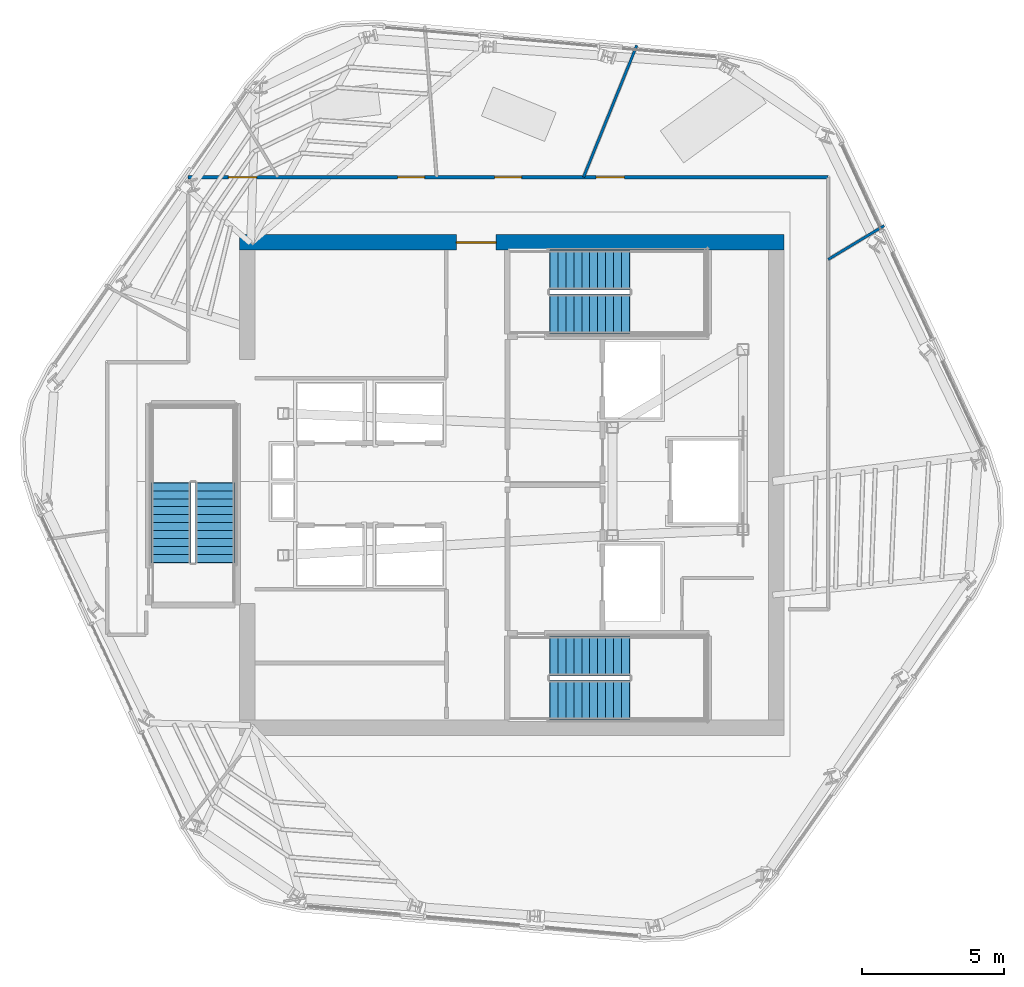
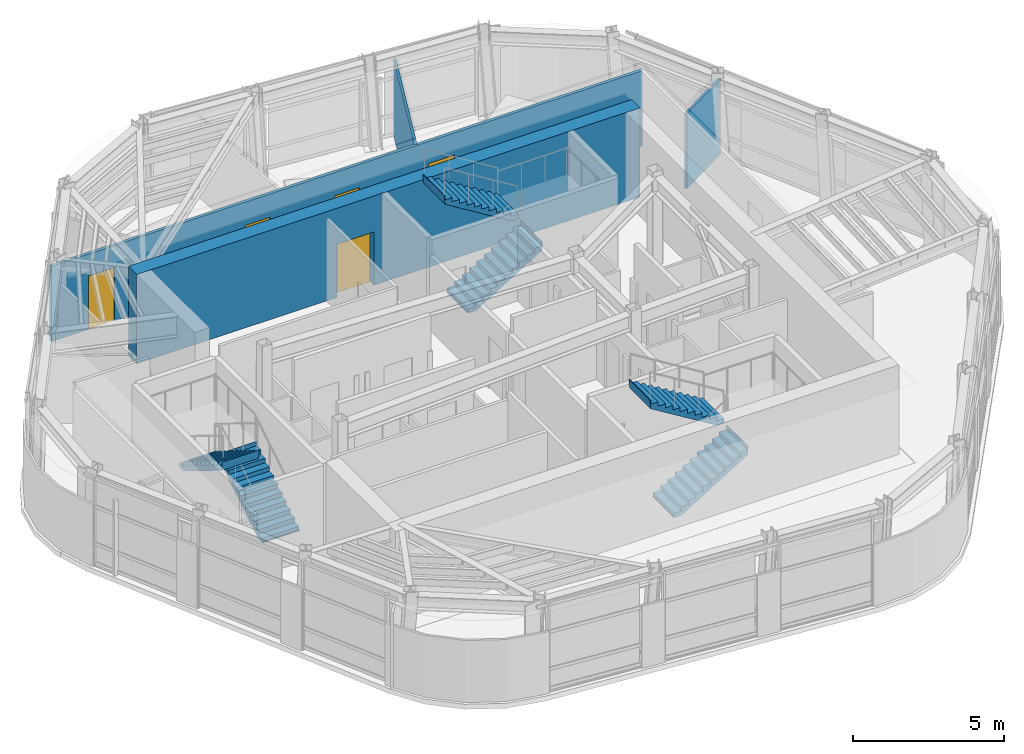
# One storey, part 7 of 12: 6 stair flights, 5 doors, 4 walls, 5 openings, 3 elements without a shape of their own.
"""IFC4 building model written with IfcOpenShell, lengths in metres."""

from ifc_helpers import new_model, si_unit, direction, frame, frame_2d, origin, place, context, subcontext, project, spatial, polyline, rectangle, outline, extrude, material, layer, layer_set, type_object, element, fill, aggregate, save


model = new_model("IFC4")

# Units and contexts
model_context = context("Model", 3, precision=1e-05, world=origin(), true_north=direction((0.0, 1.0)))
body_context = subcontext(model_context, "Body", "Model", "MODEL_VIEW")
ifc_project = project(units=[si_unit("LENGTHUNIT", "METRE"), si_unit("AREAUNIT", "SQUARE_METRE"), si_unit("VOLUMEUNIT", "CUBIC_METRE"), si_unit("PLANEANGLEUNIT", "RADIAN"), si_unit("MASSUNIT", "GRAM", prefix="KILO")], contexts=[model_context])

# Site, building, storey
site_placement = place(None, origin())
site = spatial("IfcSite", under=ifc_project, at=site_placement, CompositionType="ELEMENT")
building_placement = place(site_placement, origin())
building = spatial("IfcBuilding", under=site, at=building_placement, Name="Valkerne Bourse Tower", CompositionType="ELEMENT")
storey_placement = place(building_placement, frame((0.0, 0.0, 262.199951171875)))
storey = spatial("IfcBuildingStorey", under=building, at=storey_placement, Name="L66", CompositionType="ELEMENT", Elevation=262.199951171875)

# Wall, opening, door
ifc_material_1 = material(Name="Concrete C55/67", Category="concrete")
ifc_layer_1 = layer(ifc_material_1, 0.550048828125)
ifc_layer_set_1 = layer_set([ifc_layer_1], Name="Concrete C55/67")
wall_type_1 = type_object("IfcWallType", Name="W-CORE-550", PredefinedType="SHEAR", material=ifc_layer_set_1)
wall_1_placement = place(storey_placement, frame((37.199951171875, 35.425048828125, 0.0), z_axis=(0.0, 0.0, 1.0), x_axis=(1.0, 0.0, 0.0)))
wall_1 = element("IfcWall", 1, at=wall_1_placement, inside=storey, type_object=wall_type_1, Name="L66 Core Shear Wall NORTH", PredefinedType="SHEAR", context=body_context, shape_type="SweptSolid", body=[
    extrude(rectangle(XDim=19.199951171875, YDim=0.550048828125, at=frame_2d((9.60009765625, 0.0))), origin(), (0.0, 0.0, 1.0), 3.60009765625),
])
opening_1_placement = place(wall_1_placement, frame((7.64990234375, 0.0, 0.0)))
opening_1 = element("IfcOpeningElement", 2, at=opening_1_placement, cuts=wall_1, Name="Opening D-PL-1400", PredefinedType="OPENING", context=body_context, shape_type="SweptSolid", body=[
    extrude(rectangle(XDim=1.39990234375, YDim=2.14990234375, at=frame_2d((0.699951171875, 1.074951171875))), frame((0.0, 0.284912109375, 0.0), z_axis=(0.0, -1.0, 0.0), x_axis=(1.0, 0.0, 0.0)), (0.0, 0.0, 1.0), 0.570068359375),
])
ifc_material_2 = material(Name="Galvanised Painted Steel", Category="steel")
door_type_1 = type_object("IfcDoorType", Name="DR-PLT-1400", OperationType="DOUBLE_DOOR_SINGLE_SWING", PredefinedType="DOOR", material=ifc_material_2)
door_1_placement = place(opening_1_placement, origin())
door_1 = element("IfcDoor", 3, at=door_1_placement, inside=storey, type_object=door_type_1, Name="L66 North Passenger Lift Hall Fire Door", OperationType="DOUBLE_DOOR_SINGLE_SWING", OverallHeight=2.14990234375, OverallWidth=1.39990234375, PredefinedType="DOOR", context=body_context, shape_type="SweptSolid", body=[
    extrude(rectangle(XDim=1.39990234375, YDim=2.14990234375, at=frame_2d((0.699951171875, 1.074951171875))), frame((0.0, 0.02490234375, 0.0), z_axis=(0.0, -1.0, 0.0), x_axis=(1.0, 0.0, 0.0)), (0.0, 0.0, 1.0), 0.050048828125),
])
fill(opening_1, door_1)

# Wall, openings, doors
ifc_material_3 = material(Name="Gypsum Board Steel-Stud Partition", Category="steel")
ifc_layer_2 = layer(ifc_material_3, 0.117919921875)
ifc_layer_set_2 = layer_set([ifc_layer_2], Name="Gypsum Board Steel-Stud Partition")
wall_type_2 = type_object("IfcWallType", Name="W-CORR-140", PredefinedType="PARTITIONING", material=ifc_layer_set_2)
wall_2_placement = place(storey_placement, frame((35.39990234375, 37.719970703125, 0.0), z_axis=(0.0, 0.0, 1.0), x_axis=(1.0, 0.0, 0.0)))
wall_2 = element("IfcWall", 4, at=wall_2_placement, inside=storey, type_object=wall_type_2, Name="L66 Corridor Enclosure Wall", PredefinedType="PARTITIONING", context=body_context, shape_type="SweptSolid", body=[
    extrude(rectangle(XDim=22.550048828125, YDim=0.117919921875, at=frame_2d((11.27490234375, 0.0))), origin(), (0.0, 0.0, 1.0), 3.0361328125),
])
opening_2_placement = place(wall_2_placement, frame((10.800048828125, 0.0, 0.0)))
opening_2 = element("IfcOpeningElement", 5, at=opening_2_placement, cuts=wall_2, Name="Opening D-OF-950", PredefinedType="OPENING", context=body_context, shape_type="SweptSolid", body=[
    extrude(rectangle(XDim=0.949951171875, YDim=2.10009765625, at=frame_2d((0.47509765625, 1.050048828125))), frame((0.0, 0.06884765625, 0.0), z_axis=(0.0, -1.0, 0.0), x_axis=(1.0, 0.0, 0.0)), (0.0, 0.0, 1.0), 0.137939453125),
])
opening_3_placement = place(wall_2_placement, frame((7.3798828125, 0.0, 0.0)))
opening_3 = element("IfcOpeningElement", 6, at=opening_3_placement, cuts=wall_2, Name="Opening D-OF-950", PredefinedType="OPENING", context=body_context, shape_type="SweptSolid", body=[
    extrude(rectangle(XDim=0.949951171875, YDim=2.10009765625, at=frame_2d((0.47509765625, 1.050048828125))), frame((0.0, 0.06884765625, 0.0), z_axis=(0.0, -1.0, 0.0), x_axis=(1.0, 0.0, 0.0)), (0.0, 0.0, 1.0), 0.137939453125),
])
opening_4_placement = place(wall_2_placement, frame((14.375, 0.0, 0.0)))
opening_4 = element("IfcOpeningElement", 7, at=opening_4_placement, cuts=wall_2, Name="Opening D-MG-1000", PredefinedType="OPENING", context=body_context, shape_type="SweptSolid", body=[
    extrude(rectangle(XDim=1.0, YDim=2.14990234375, at=frame_2d((0.5, 1.074951171875))), frame((0.0, 0.06884765625, 0.0), z_axis=(0.0, -1.0, 0.0), x_axis=(1.0, 0.0, 0.0)), (0.0, 0.0, 1.0), 0.137939453125),
])
opening_5_placement = place(wall_2_placement, frame((1.4150390625, 0.0, 0.0)))
opening_5 = element("IfcOpeningElement", 8, at=opening_5_placement, cuts=wall_2, Name="Opening D-MG-1000", PredefinedType="OPENING", context=body_context, shape_type="SweptSolid", body=[
    extrude(rectangle(XDim=1.0, YDim=2.14990234375, at=frame_2d((0.5, 1.074951171875))), frame((0.0, 0.06884765625, 0.0), z_axis=(0.0, -1.0, 0.0), x_axis=(1.0, 0.0, 0.0)), (0.0, 0.0, 1.0), 0.137939453125),
])
ifc_material_4 = material(Name="Laminated Tempered Safety Glass", Category="glass")
door_type_2 = type_object("IfcDoorType", Name="DR-MTG-1000", OperationType="NOTDEFINED", PredefinedType="DOOR", material=ifc_material_4)
door_2_placement = place(opening_4_placement, origin())
door_2 = element("IfcDoor", 9, at=door_2_placement, inside=storey, type_object=door_type_2, Name="L66 L66 Client Strategy Conference Room 5 Door", OperationType="SINGLE_SWING_RIGHT", OverallHeight=2.14990234375, OverallWidth=1.0, PredefinedType="DOOR", context=body_context, shape_type="SweptSolid", body=[
    extrude(rectangle(XDim=1.0, YDim=2.14990234375, at=frame_2d((0.5, 1.074951171875))), frame((0.0, 0.02490234375, 0.0), z_axis=(0.0, -1.0, 0.0), x_axis=(1.0, 0.0, 0.0)), (0.0, 0.0, 1.0), 0.050048828125),
])
fill(opening_4, door_2)
door_3_placement = place(opening_5_placement, origin())
door_3 = element("IfcDoor", 10, at=door_3_placement, inside=storey, type_object=door_type_2, Name="L66 L66 Client Strategy Conference Room 6 Door", OperationType="SINGLE_SWING_RIGHT", OverallHeight=2.14990234375, OverallWidth=1.0, PredefinedType="DOOR", context=body_context, shape_type="SweptSolid", body=[
    extrude(rectangle(XDim=1.0, YDim=2.14990234375, at=frame_2d((0.5, 1.074951171875))), frame((0.0, 0.02490234375, 0.0), z_axis=(0.0, -1.0, 0.0), x_axis=(1.0, 0.0, 0.0)), (0.0, 0.0, 1.0), 0.050048828125),
])
fill(opening_5, door_3)
ifc_material_5 = material(Name="Architectural White Oak Timber", Category="wood")
door_type_3 = type_object("IfcDoorType", Name="DR-OFF-950", OperationType="NOTDEFINED", PredefinedType="DOOR", material=ifc_material_5)
door_4_placement = place(opening_2_placement, origin())
door_4 = element("IfcDoor", 11, at=door_4_placement, inside=storey, type_object=door_type_3, Name="L66 L66 Exchange Security Control Room 3 Door", OperationType="SINGLE_SWING_RIGHT", OverallHeight=2.10009765625, OverallWidth=0.949951171875, PredefinedType="DOOR", context=body_context, shape_type="SweptSolid", body=[
    extrude(rectangle(XDim=0.949951171875, YDim=2.10009765625, at=frame_2d((0.47509765625, 1.050048828125))), frame((0.0, 0.02490234375, 0.0), z_axis=(0.0, -1.0, 0.0), x_axis=(1.0, 0.0, 0.0)), (0.0, 0.0, 1.0), 0.050048828125),
])
fill(opening_2, door_4)
door_5_placement = place(opening_3_placement, origin())
door_5 = element("IfcDoor", 12, at=door_5_placement, inside=storey, type_object=door_type_3, Name="L66 L66 Exchange Security Control Room 4 Door", OperationType="SINGLE_SWING_RIGHT", OverallHeight=2.10009765625, OverallWidth=0.949951171875, PredefinedType="DOOR", context=body_context, shape_type="SweptSolid", body=[
    extrude(rectangle(XDim=0.949951171875, YDim=2.10009765625, at=frame_2d((0.47509765625, 1.050048828125))), frame((0.0, 0.02490234375, 0.0), z_axis=(0.0, -1.0, 0.0), x_axis=(1.0, 0.0, 0.0)), (0.0, 0.0, 1.0), 0.050048828125),
])
fill(opening_3, door_5)

# Walls
ifc_layer_3 = layer(ifc_material_3, 0.092041015625)
ifc_layer_set_3 = layer_set([ifc_layer_3], Name="Gypsum Board Steel-Stud Partition")
wall_type_3 = type_object("IfcWallType", Name="W-PART-115", PredefinedType="PARTITIONING", material=ifc_layer_set_3)
wall_3_placement = place(storey_placement, frame((49.333251953125, 37.72509765625, 0.0), z_axis=(0.0, 0.0, 1.0), x_axis=(0.374617894384, 0.927179288599, 0.0)))
element("IfcWall", 13, at=wall_3_placement, inside=storey, type_object=wall_type_3, Name="L66 Suite Partition P01", PredefinedType="PARTITIONING", context=body_context, shape_type="SweptSolid", body=[
    extrude(rectangle(XDim=5.005126953125, YDim=0.092041015625, at=frame_2d((2.50244140625, 0.0))), origin(), (0.0, 0.0, 1.0), 3.0361328125),
])
wall_4_placement = place(storey_placement, frame((57.955078125, 34.82421875, 0.0), z_axis=(0.0, 0.0, 1.0), x_axis=(0.856008574134, 0.51696162431, 0.0)))
element("IfcWall", 14, at=wall_4_placement, inside=storey, type_object=wall_type_3, Name="L66 Suite Partition P07", PredefinedType="PARTITIONING", context=body_context, shape_type="SweptSolid", body=[
    extrude(rectangle(XDim=2.298583984375, YDim=0.092041015625, at=frame_2d((1.1494140625, 0.0))), origin(), (0.0, 0.0, 1.0), 3.0361328125),
])

# Stair, stair flights
ifc_material_6 = material(Name="Concrete C40/50", Category="concrete")
stair_type = type_object("IfcStairType", Name="ST-CORE-1400", PredefinedType="HALF_TURN_STAIR", material=ifc_material_6)
stair_1_placement = place(storey_placement, origin())
stair_1 = element("IfcStair", 15, at=stair_1_placement, inside=storey, type_object=stair_type, Name="L66 ST-1", PredefinedType="HALF_TURN_STAIR")
stair_flight_type = type_object("IfcStairFlightType", Name="STF-CORE-1400", PredefinedType="STRAIGHT", material=ifc_material_6)
stair_flight_1_placement = place(storey_placement, frame((48.14990234375, 19.300048828125, 0.0), z_axis=(0.0, 0.0, 1.0), x_axis=(1.0, 0.0, 0.0)))
stair_flight_1 = element("IfcStairFlight", 16, at=stair_flight_1_placement, type_object=stair_flight_type, Name="ST-1 flight 1", NumberOfRisers=11, NumberOfTreads=10, PredefinedType="STRAIGHT", RiserHeight=0.172727273, TreadLength=0.28, context=body_context, shape_type="SweptSolid", body=[
    extrude(outline(polyline([(-0.02001953125, 0.0), (-0.02001953125, 0.044921875), (0.0, 0.044921875), (0.0, 0.172607421875), (0.280029296875, 0.172607421875), (0.280029296875, 0.345458984375), (0.56005859375, 0.345458984375), (0.56005859375, 0.51806640625), (0.840087890625, 0.51806640625), (0.840087890625, 0.69091796875), (1.1201171875, 0.69091796875), (1.1201171875, 0.863525390625), (1.39990234375, 0.863525390625), (1.39990234375, 1.036376953125), (1.679931640625, 1.036376953125), (1.679931640625, 1.208984375), (1.9599609375, 1.208984375), (1.9599609375, 1.3818359375), (2.239990234375, 1.3818359375), (2.239990234375, 1.554443359375), (2.52001953125, 1.554443359375), (2.52001953125, 1.727294921875), (2.800048828125, 1.727294921875), (2.800048828125, 1.89990234375), (2.820068359375, 1.89990234375), (2.820068359375, 1.780029296875), (2.800048828125, 1.551025390625), (0.285400390625, 0.0), (-0.02001953125, 0.0)])), frame((0.0, 0.699951171875, 0.0), z_axis=(0.0, -1.0, 0.0), x_axis=(1.0, 0.0, 0.0)), (0.0, 0.0, 1.0), 1.39990234375),
])
stair_flight_2_placement = place(storey_placement, frame((50.949951171875, 20.85009765625, 1.900146484375), z_axis=(0.0, 0.0, 1.0), x_axis=(-1.0, 0.0, 0.0)))
stair_flight_2 = element("IfcStairFlight", 17, at=stair_flight_2_placement, type_object=stair_flight_type, Name="ST-1 flight 2", NumberOfRisers=11, NumberOfTreads=10, PredefinedType="STRAIGHT", RiserHeight=0.172727273, TreadLength=0.28, context=body_context, shape_type="SweptSolid", body=[
    extrude(outline(polyline([(-0.02001953125, 0.0), (-0.02001953125, 0.044921875), (0.0, 0.044921875), (0.0, 0.172607421875), (0.280029296875, 0.172607421875), (0.280029296875, 0.345458984375), (0.56005859375, 0.345458984375), (0.56005859375, 0.51806640625), (0.840087890625, 0.51806640625), (0.840087890625, 0.69091796875), (1.1201171875, 0.69091796875), (1.1201171875, 0.863525390625), (1.39990234375, 0.863525390625), (1.39990234375, 1.036376953125), (1.679931640625, 1.036376953125), (1.679931640625, 1.208984375), (1.9599609375, 1.208984375), (1.9599609375, 1.3818359375), (2.239990234375, 1.3818359375), (2.239990234375, 1.554443359375), (2.52001953125, 1.554443359375), (2.52001953125, 1.727294921875), (2.800048828125, 1.727294921875), (2.800048828125, 1.89990234375), (2.820068359375, 1.89990234375), (2.820068359375, 1.780029296875), (2.800048828125, 1.551025390625), (0.285400390625, 0.0), (-0.02001953125, 0.0)])), frame((0.0, 0.699951171875, 0.0), z_axis=(0.0, -1.0, 0.0), x_axis=(1.0, 0.0, 0.0)), (0.0, 0.0, 1.0), 1.39990234375),
])
aggregate(stair_1, [stair_flight_1, stair_flight_2])

stair_2_placement = place(storey_placement, origin())
stair_2 = element("IfcStair", 18, at=stair_2_placement, inside=storey, type_object=stair_type, Name="L66 ST-2", PredefinedType="HALF_TURN_STAIR")
stair_flight_3_placement = place(storey_placement, frame((48.14990234375, 32.89990234375, 0.0), z_axis=(0.0, 0.0, 1.0), x_axis=(1.0, 0.0, 0.0)))
stair_flight_3 = element("IfcStairFlight", 19, at=stair_flight_3_placement, type_object=stair_flight_type, Name="ST-2 flight 1", NumberOfRisers=11, NumberOfTreads=10, PredefinedType="STRAIGHT", RiserHeight=0.172727273, TreadLength=0.28, context=body_context, shape_type="SweptSolid", body=[
    extrude(outline(polyline([(-0.02001953125, 0.0), (-0.02001953125, 0.044921875), (0.0, 0.044921875), (0.0, 0.172607421875), (0.280029296875, 0.172607421875), (0.280029296875, 0.345458984375), (0.56005859375, 0.345458984375), (0.56005859375, 0.51806640625), (0.840087890625, 0.51806640625), (0.840087890625, 0.69091796875), (1.1201171875, 0.69091796875), (1.1201171875, 0.863525390625), (1.39990234375, 0.863525390625), (1.39990234375, 1.036376953125), (1.679931640625, 1.036376953125), (1.679931640625, 1.208984375), (1.9599609375, 1.208984375), (1.9599609375, 1.3818359375), (2.239990234375, 1.3818359375), (2.239990234375, 1.554443359375), (2.52001953125, 1.554443359375), (2.52001953125, 1.727294921875), (2.800048828125, 1.727294921875), (2.800048828125, 1.89990234375), (2.820068359375, 1.89990234375), (2.820068359375, 1.780029296875), (2.800048828125, 1.551025390625), (0.285400390625, 0.0), (-0.02001953125, 0.0)])), frame((0.0, 0.699951171875, 0.0), z_axis=(0.0, -1.0, 0.0), x_axis=(1.0, 0.0, 0.0)), (0.0, 0.0, 1.0), 1.39990234375),
])
stair_flight_4_placement = place(storey_placement, frame((50.949951171875, 34.449951171875, 1.900146484375), z_axis=(0.0, 0.0, 1.0), x_axis=(-1.0, 0.0, 0.0)))
stair_flight_4 = element("IfcStairFlight", 20, at=stair_flight_4_placement, type_object=stair_flight_type, Name="ST-2 flight 2", NumberOfRisers=11, NumberOfTreads=10, PredefinedType="STRAIGHT", RiserHeight=0.172727273, TreadLength=0.28, context=body_context, shape_type="SweptSolid", body=[
    extrude(outline(polyline([(-0.02001953125, 0.0), (-0.02001953125, 0.044921875), (0.0, 0.044921875), (0.0, 0.172607421875), (0.280029296875, 0.172607421875), (0.280029296875, 0.345458984375), (0.56005859375, 0.345458984375), (0.56005859375, 0.51806640625), (0.840087890625, 0.51806640625), (0.840087890625, 0.69091796875), (1.1201171875, 0.69091796875), (1.1201171875, 0.863525390625), (1.39990234375, 0.863525390625), (1.39990234375, 1.036376953125), (1.679931640625, 1.036376953125), (1.679931640625, 1.208984375), (1.9599609375, 1.208984375), (1.9599609375, 1.3818359375), (2.239990234375, 1.3818359375), (2.239990234375, 1.554443359375), (2.52001953125, 1.554443359375), (2.52001953125, 1.727294921875), (2.800048828125, 1.727294921875), (2.800048828125, 1.89990234375), (2.820068359375, 1.89990234375), (2.820068359375, 1.780029296875), (2.800048828125, 1.551025390625), (0.285400390625, 0.0), (-0.02001953125, 0.0)])), frame((0.0, 0.699951171875, 0.0), z_axis=(0.0, -1.0, 0.0), x_axis=(1.0, 0.0, 0.0)), (0.0, 0.0, 1.0), 1.39990234375),
])
aggregate(stair_2, [stair_flight_3, stair_flight_4])

stair_3_placement = place(storey_placement, origin())
stair_3 = element("IfcStair", 21, at=stair_3_placement, inside=storey, type_object=stair_type, Name="L66 ST-3", PredefinedType="HALF_TURN_STAIR")
stair_flight_5_placement = place(storey_placement, frame((36.35009765625, 24.14990234375, 0.0), z_axis=(0.0, 0.0, 1.0), x_axis=(0.0, 1.0, 0.0)))
stair_flight_5 = element("IfcStairFlight", 22, at=stair_flight_5_placement, type_object=stair_flight_type, Name="ST-3 flight 1", NumberOfRisers=11, NumberOfTreads=10, PredefinedType="STRAIGHT", RiserHeight=0.172727273, TreadLength=0.28, context=body_context, shape_type="SweptSolid", body=[
    extrude(outline(polyline([(-0.02001953125, 0.0), (-0.02001953125, 0.044921875), (0.0, 0.044921875), (0.0, 0.172607421875), (0.280029296875, 0.172607421875), (0.280029296875, 0.345458984375), (0.56005859375, 0.345458984375), (0.56005859375, 0.51806640625), (0.840087890625, 0.51806640625), (0.840087890625, 0.69091796875), (1.1201171875, 0.69091796875), (1.1201171875, 0.863525390625), (1.39990234375, 0.863525390625), (1.39990234375, 1.036376953125), (1.679931640625, 1.036376953125), (1.679931640625, 1.208984375), (1.9599609375, 1.208984375), (1.9599609375, 1.3818359375), (2.239990234375, 1.3818359375), (2.239990234375, 1.554443359375), (2.52001953125, 1.554443359375), (2.52001953125, 1.727294921875), (2.800048828125, 1.727294921875), (2.800048828125, 1.89990234375), (2.820068359375, 1.89990234375), (2.820068359375, 1.780029296875), (2.800048828125, 1.551025390625), (0.285400390625, 0.0), (-0.02001953125, 0.0)])), frame((0.0, 0.699951171875, 0.0), z_axis=(0.0, -1.0, 0.0), x_axis=(1.0, 0.0, 0.0)), (0.0, 0.0, 1.0), 1.39990234375),
])
stair_flight_6_placement = place(storey_placement, frame((34.800048828125, 26.949951171875, 1.900146484375), z_axis=(0.0, 0.0, 1.0), x_axis=(0.0, -1.0, 0.0)))
stair_flight_6 = element("IfcStairFlight", 23, at=stair_flight_6_placement, type_object=stair_flight_type, Name="ST-3 flight 2", NumberOfRisers=11, NumberOfTreads=10, PredefinedType="STRAIGHT", RiserHeight=0.172727273, TreadLength=0.28, context=body_context, shape_type="SweptSolid", body=[
    extrude(outline(polyline([(-0.02001953125, 0.0), (-0.02001953125, 0.044921875), (0.0, 0.044921875), (0.0, 0.172607421875), (0.280029296875, 0.172607421875), (0.280029296875, 0.345458984375), (0.56005859375, 0.345458984375), (0.56005859375, 0.51806640625), (0.840087890625, 0.51806640625), (0.840087890625, 0.69091796875), (1.1201171875, 0.69091796875), (1.1201171875, 0.863525390625), (1.39990234375, 0.863525390625), (1.39990234375, 1.036376953125), (1.679931640625, 1.036376953125), (1.679931640625, 1.208984375), (1.9599609375, 1.208984375), (1.9599609375, 1.3818359375), (2.239990234375, 1.3818359375), (2.239990234375, 1.554443359375), (2.52001953125, 1.554443359375), (2.52001953125, 1.727294921875), (2.800048828125, 1.727294921875), (2.800048828125, 1.89990234375), (2.820068359375, 1.89990234375), (2.820068359375, 1.780029296875), (2.800048828125, 1.551025390625), (0.285400390625, 0.0), (-0.02001953125, 0.0)])), frame((0.0, 0.699951171875, 0.0), z_axis=(0.0, -1.0, 0.0), x_axis=(1.0, 0.0, 0.0)), (0.0, 0.0, 1.0), 1.39990234375),
])
aggregate(stair_3, [stair_flight_5, stair_flight_6])

save(model, "model.ifc")
